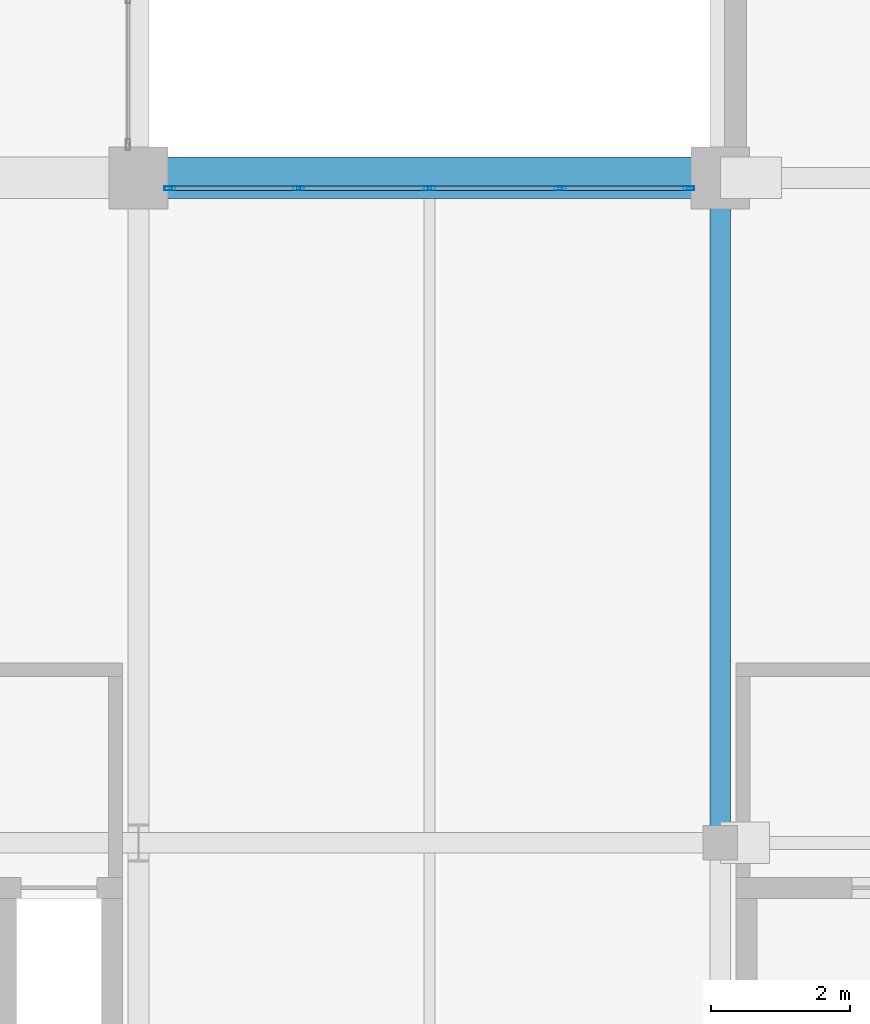
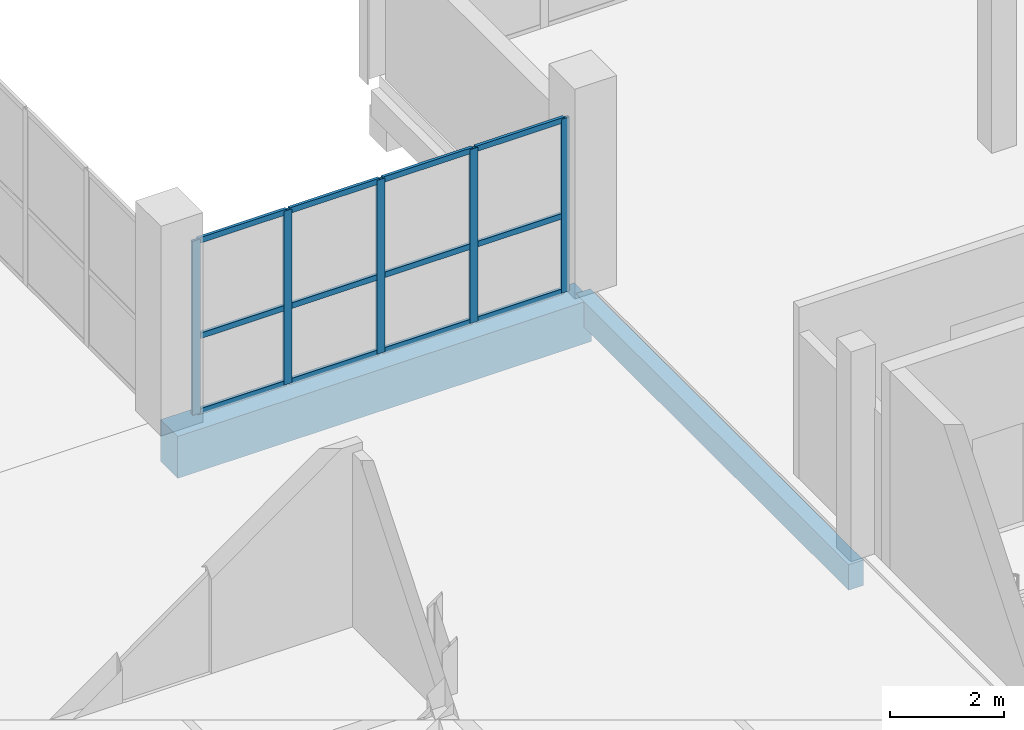
# One storey, part 41 of 109: 17 members, 2 beams, 1 element without a shape of its own.
"""IFC4 building model written with IfcOpenShell, lengths in metres."""

from ifc_helpers import new_model, si_unit, direction, frame, origin, origin_2d, place, context, subcontext, project, spatial, rectangle, hollow_rectangle, extrude, material, material_profile, profile_set, type_object, element, aggregate, save


model = new_model("IFC4")

# Units and contexts
model_context = context("Model", 3, precision=1e-05, world=origin(), true_north=direction((0.0, 1.0)))
body_context = subcontext(model_context, "Body", "Model", "MODEL_VIEW")
ifc_project = project(units=[si_unit("LENGTHUNIT", "METRE"), si_unit("AREAUNIT", "SQUARE_METRE"), si_unit("VOLUMEUNIT", "CUBIC_METRE"), si_unit("PLANEANGLEUNIT", "RADIAN"), si_unit("MASSUNIT", "GRAM", prefix="KILO")], contexts=[model_context])

# Site, building, storey
site_placement = place(None, origin())
site = spatial("IfcSite", under=ifc_project, at=site_placement, CompositionType="ELEMENT")
building_placement = place(site_placement, origin())
building = spatial("IfcBuilding", under=site, at=building_placement, Name="Veltarok Museum of Natural Sciences", CompositionType="ELEMENT")
storey_placement = place(building_placement, frame((0.0, 0.0, 17.39990234375)))
storey = spatial("IfcBuildingStorey", under=building, at=storey_placement, Name="L03", CompositionType="ELEMENT", Elevation=17.39990234375)

# Curtain wall, members
ifc_material_1 = material(Name="Low-iron triple insulated glass", Category="glass")
curtain_wall_type = type_object("IfcCurtainWallType", Name="Curtain Wall System CW-V1CN-L03-3-755x373 (CW-V1CN L03 755x373cm)", PredefinedType="NOTDEFINED", material=ifc_material_1)
curtain_wall_placement = place(storey_placement, origin())
curtain_wall = element("IfcCurtainWall", 1, at=curtain_wall_placement, inside=storey, type_object=curtain_wall_type, Name="Curtain Wall CW-V1CN-L03-3-755x373 CW-0159", PredefinedType="NOTDEFINED")
ifc_material_2 = material(Name="Thermally broken anodised aluminium", Category="aluminium")
ifc_material_profile_1 = material_profile(ifc_material_2, hollow_rectangle(XDim=0.06005859375, YDim=0.1201171875, WallThickness=0.0048828125, at=origin_2d()), Name="CW TRANSOM 60x120x5")
ifc_profile_set_1 = profile_set([ifc_material_profile_1], Name="Thermally broken anodised aluminium")
member_type_1 = type_object("IfcMemberType", Name="Curtain Wall Horizontal Transom 60x120x5", PredefinedType="USERDEFINED", material=ifc_profile_set_1)
member_1_placement = place(storey_placement, frame((106.715087890625, 19.050048828125, 0.028076171875), z_axis=(-1.0, 0.0, 0.0), x_axis=(0.0, -1.0, 0.0)))
member_1 = element("IfcMember", 2, at=member_1_placement, type_object=member_type_1, Name="CW-V1CN-L03-3-755x373 transom 1.1", ObjectType="TRANSOM", PredefinedType="USERDEFINED", context=body_context, shape_type="SweptSolid", body=[
    extrude(hollow_rectangle(XDim=0.06005859375, YDim=0.1201171875, WallThickness=0.0048828125, at=origin_2d()), origin(), (0.0, 0.0, 1.0), 1.797607421875),
])
member_2_placement = place(storey_placement, frame((106.715087890625, 19.050048828125, 1.648193359375), z_axis=(-1.0, 0.0, 0.0), x_axis=(0.0, -1.0, 0.0)))
member_2 = element("IfcMember", 3, at=member_2_placement, type_object=member_type_1, Name="CW-V1CN-L03-3-755x373 transom 1.2", ObjectType="TRANSOM", PredefinedType="USERDEFINED", context=body_context, shape_type="SweptSolid", body=[
    extrude(hollow_rectangle(XDim=0.06005859375, YDim=0.1201171875, WallThickness=0.0048828125, at=origin_2d()), origin(), (0.0, 0.0, 1.0), 1.797607421875),
])
member_3_placement = place(storey_placement, frame((106.715087890625, 19.050048828125, 3.7001953125), z_axis=(-1.0, 0.0, 0.0), x_axis=(0.0, -1.0, 0.0)))
member_3 = element("IfcMember", 4, at=member_3_placement, type_object=member_type_1, Name="CW-V1CN-L03-3-755x373 transom 1.3", ObjectType="TRANSOM", PredefinedType="USERDEFINED", context=body_context, shape_type="SweptSolid", body=[
    extrude(hollow_rectangle(XDim=0.06005859375, YDim=0.1201171875, WallThickness=0.0048828125, at=origin_2d()), origin(), (0.0, 0.0, 1.0), 1.797607421875),
])
member_4_placement = place(storey_placement, frame((104.857421875, 19.050048828125, 0.028076171875), z_axis=(-1.0, 0.0, 0.0), x_axis=(0.0, -1.0, 0.0)))
member_4 = element("IfcMember", 5, at=member_4_placement, type_object=member_type_1, Name="CW-V1CN-L03-3-755x373 transom 2.1", ObjectType="TRANSOM", PredefinedType="USERDEFINED", context=body_context, shape_type="SweptSolid", body=[
    extrude(hollow_rectangle(XDim=0.06005859375, YDim=0.1201171875, WallThickness=0.0048828125, at=origin_2d()), origin(), (0.0, 0.0, 1.0), 1.827392578125),
])
member_5_placement = place(storey_placement, frame((104.857421875, 19.050048828125, 1.648193359375), z_axis=(-1.0, 0.0, 0.0), x_axis=(0.0, -1.0, 0.0)))
member_5 = element("IfcMember", 6, at=member_5_placement, type_object=member_type_1, Name="CW-V1CN-L03-3-755x373 transom 2.2", ObjectType="TRANSOM", PredefinedType="USERDEFINED", context=body_context, shape_type="SweptSolid", body=[
    extrude(hollow_rectangle(XDim=0.06005859375, YDim=0.1201171875, WallThickness=0.0048828125, at=origin_2d()), origin(), (0.0, 0.0, 1.0), 1.827392578125),
])
member_6_placement = place(storey_placement, frame((104.857421875, 19.050048828125, 3.7001953125), z_axis=(-1.0, 0.0, 0.0), x_axis=(0.0, -1.0, 0.0)))
member_6 = element("IfcMember", 7, at=member_6_placement, type_object=member_type_1, Name="CW-V1CN-L03-3-755x373 transom 2.3", ObjectType="TRANSOM", PredefinedType="USERDEFINED", context=body_context, shape_type="SweptSolid", body=[
    extrude(hollow_rectangle(XDim=0.06005859375, YDim=0.1201171875, WallThickness=0.0048828125, at=origin_2d()), origin(), (0.0, 0.0, 1.0), 1.827392578125),
])
member_7_placement = place(storey_placement, frame((102.969970703125, 19.050048828125, 0.028076171875), z_axis=(-1.0, 0.0, 0.0), x_axis=(0.0, -1.0, 0.0)))
member_7 = element("IfcMember", 8, at=member_7_placement, type_object=member_type_1, Name="CW-V1CN-L03-3-755x373 transom 3.1", ObjectType="TRANSOM", PredefinedType="USERDEFINED", context=body_context, shape_type="SweptSolid", body=[
    extrude(hollow_rectangle(XDim=0.06005859375, YDim=0.1201171875, WallThickness=0.0048828125, at=origin_2d()), origin(), (0.0, 0.0, 1.0), 1.827392578125),
])
member_8_placement = place(storey_placement, frame((102.969970703125, 19.050048828125, 1.648193359375), z_axis=(-1.0, 0.0, 0.0), x_axis=(0.0, -1.0, 0.0)))
member_8 = element("IfcMember", 9, at=member_8_placement, type_object=member_type_1, Name="CW-V1CN-L03-3-755x373 transom 3.2", ObjectType="TRANSOM", PredefinedType="USERDEFINED", context=body_context, shape_type="SweptSolid", body=[
    extrude(hollow_rectangle(XDim=0.06005859375, YDim=0.1201171875, WallThickness=0.0048828125, at=origin_2d()), origin(), (0.0, 0.0, 1.0), 1.827392578125),
])
member_9_placement = place(storey_placement, frame((102.969970703125, 19.050048828125, 3.7001953125), z_axis=(-1.0, 0.0, 0.0), x_axis=(0.0, -1.0, 0.0)))
member_9 = element("IfcMember", 10, at=member_9_placement, type_object=member_type_1, Name="CW-V1CN-L03-3-755x373 transom 3.3", ObjectType="TRANSOM", PredefinedType="USERDEFINED", context=body_context, shape_type="SweptSolid", body=[
    extrude(hollow_rectangle(XDim=0.06005859375, YDim=0.1201171875, WallThickness=0.0048828125, at=origin_2d()), origin(), (0.0, 0.0, 1.0), 1.827392578125),
])
member_10_placement = place(storey_placement, frame((101.08251953125, 19.050048828125, 0.028076171875), z_axis=(-1.0, 0.0, 0.0), x_axis=(0.0, -1.0, 0.0)))
member_10 = element("IfcMember", 11, at=member_10_placement, type_object=member_type_1, Name="CW-V1CN-L03-3-755x373 transom 4.1", ObjectType="TRANSOM", PredefinedType="USERDEFINED", context=body_context, shape_type="SweptSolid", body=[
    extrude(hollow_rectangle(XDim=0.06005859375, YDim=0.1201171875, WallThickness=0.0048828125, at=origin_2d()), origin(), (0.0, 0.0, 1.0), 1.797607421875),
])
member_11_placement = place(storey_placement, frame((101.08251953125, 19.050048828125, 1.648193359375), z_axis=(-1.0, 0.0, 0.0), x_axis=(0.0, -1.0, 0.0)))
member_11 = element("IfcMember", 12, at=member_11_placement, type_object=member_type_1, Name="CW-V1CN-L03-3-755x373 transom 4.2", ObjectType="TRANSOM", PredefinedType="USERDEFINED", context=body_context, shape_type="SweptSolid", body=[
    extrude(hollow_rectangle(XDim=0.06005859375, YDim=0.1201171875, WallThickness=0.0048828125, at=origin_2d()), origin(), (0.0, 0.0, 1.0), 1.797607421875),
])
member_12_placement = place(storey_placement, frame((101.08251953125, 19.050048828125, 3.7001953125), z_axis=(-1.0, 0.0, 0.0), x_axis=(0.0, -1.0, 0.0)))
member_12 = element("IfcMember", 13, at=member_12_placement, type_object=member_type_1, Name="CW-V1CN-L03-3-755x373 transom 4.3", ObjectType="TRANSOM", PredefinedType="USERDEFINED", context=body_context, shape_type="SweptSolid", body=[
    extrude(hollow_rectangle(XDim=0.06005859375, YDim=0.1201171875, WallThickness=0.0048828125, at=origin_2d()), origin(), (0.0, 0.0, 1.0), 1.797607421875),
])
ifc_material_profile_2 = material_profile(ifc_material_2, hollow_rectangle(XDim=0.06005859375, YDim=0.159912109375, WallThickness=0.0048828125, at=origin_2d()), Name="CW MULLION 60x160x5")
ifc_profile_set_2 = profile_set([ifc_material_profile_2], Name="Thermally broken anodised aluminium")
member_type_2 = type_object("IfcMemberType", Name="Curtain Wall Vertical Mullion 60x160x5", PredefinedType="MULLION", material=ifc_profile_set_2)
member_13_placement = place(storey_placement, frame((106.7451171875, 19.050048828125, -0.001953125), z_axis=(0.0, 0.0, 1.0), x_axis=(0.0, -1.0, 0.0)))
member_13 = element("IfcMember", 14, at=member_13_placement, type_object=member_type_2, Name="CW-V1CN-L03-3-755x373 mullion 1", PredefinedType="MULLION", context=body_context, shape_type="SweptSolid", body=[
    extrude(hollow_rectangle(XDim=0.06005859375, YDim=0.159912109375, WallThickness=0.0048828125, at=origin_2d()), origin(), (0.0, 0.0, 1.0), 3.73193359375),
])
member_14_placement = place(storey_placement, frame((104.887451171875, 19.050048828125, -0.001953125), z_axis=(0.0, 0.0, 1.0), x_axis=(0.0, -1.0, 0.0)))
member_14 = element("IfcMember", 15, at=member_14_placement, type_object=member_type_2, Name="CW-V1CN-L03-3-755x373 mullion 2", PredefinedType="MULLION", context=body_context, shape_type="SweptSolid", body=[
    extrude(hollow_rectangle(XDim=0.06005859375, YDim=0.159912109375, WallThickness=0.0048828125, at=origin_2d()), origin(), (0.0, 0.0, 1.0), 3.73193359375),
])
member_15_placement = place(storey_placement, frame((103.0, 19.050048828125, -0.001953125), z_axis=(0.0, 0.0, 1.0), x_axis=(0.0, -1.0, 0.0)))
member_15 = element("IfcMember", 16, at=member_15_placement, type_object=member_type_2, Name="CW-V1CN-L03-3-755x373 mullion 3", PredefinedType="MULLION", context=body_context, shape_type="SweptSolid", body=[
    extrude(hollow_rectangle(XDim=0.06005859375, YDim=0.159912109375, WallThickness=0.0048828125, at=origin_2d()), origin(), (0.0, 0.0, 1.0), 3.73193359375),
])
member_16_placement = place(storey_placement, frame((101.112548828125, 19.050048828125, -0.001953125), z_axis=(0.0, 0.0, 1.0), x_axis=(0.0, -1.0, 0.0)))
member_16 = element("IfcMember", 17, at=member_16_placement, type_object=member_type_2, Name="CW-V1CN-L03-3-755x373 mullion 4", PredefinedType="MULLION", context=body_context, shape_type="SweptSolid", body=[
    extrude(hollow_rectangle(XDim=0.06005859375, YDim=0.159912109375, WallThickness=0.0048828125, at=origin_2d()), origin(), (0.0, 0.0, 1.0), 3.73193359375),
])
member_17_placement = place(storey_placement, frame((99.2548828125, 19.050048828125, -0.001953125), z_axis=(0.0, 0.0, 1.0), x_axis=(0.0, -1.0, 0.0)))
member_17 = element("IfcMember", 18, at=member_17_placement, type_object=member_type_2, Name="CW-V1CN-L03-3-755x373 mullion 5", PredefinedType="MULLION", context=body_context, shape_type="SweptSolid", body=[
    extrude(hollow_rectangle(XDim=0.06005859375, YDim=0.159912109375, WallThickness=0.0048828125, at=origin_2d()), origin(), (0.0, 0.0, 1.0), 3.73193359375),
])
aggregate(curtain_wall, [member_13, member_14, member_15, member_16, member_17, member_1, member_2, member_3, member_4, member_5, member_6, member_7, member_8, member_9, member_10, member_11, member_12])

# Beams
ifc_material_3 = material(Name="Precast concrete C40/50", Category="concrete")
ifc_material_profile_3 = material_profile(ifc_material_3, rectangle(XDim=0.300048828125, YDim=0.550048828125, at=origin_2d()), Name="RC 300x550")
ifc_profile_set_3 = profile_set([ifc_material_profile_3], Name="Precast concrete C40/50")
beam_type_1 = type_object("IfcBeamType", Name="East Wing Precast Spandrel RC 300x550", PredefinedType="SPANDREL", material=ifc_profile_set_3)
beam_1_placement = place(storey_placement, frame((107.199951171875, 9.60009765625, -0.52490234375), z_axis=(0.0, 1.0, 0.0), x_axis=(-1.0, 0.0, 0.0)))
element("IfcBeam", 19, at=beam_1_placement, inside=storey, type_object=beam_type_1, Name="Beam BM-SP02 L03 13/B-C", PredefinedType="SPANDREL", context=body_context, shape_type="SweptSolid", body=[
    extrude(rectangle(XDim=0.300048828125, YDim=0.550048828125, at=origin_2d()), origin(), (0.0, 0.0, 1.0), 9.599853515625),
])
ifc_material_4 = material(Name="Concrete C40/50", Category="concrete")
ifc_material_profile_4 = material_profile(ifc_material_4, rectangle(XDim=0.60009765625, YDim=0.89990234375, at=origin_2d()), Name="RC 600x900")
ifc_profile_set_4 = profile_set([ifc_material_profile_4], Name="Concrete C40/50")
beam_type_2 = type_object("IfcBeamType", Name="Exposed Cabinet Perimeter Spandrel RC 600x900", PredefinedType="SPANDREL", material=ifc_profile_set_4)
beam_2_placement = place(storey_placement, frame((98.800048828125, 19.199951171875, -0.699951171875), z_axis=(1.0, 0.0, 0.0), x_axis=(0.0, 1.0, 0.0)))
element("IfcBeam", 20, at=beam_2_placement, inside=storey, type_object=beam_type_2, Name="Beam BM-SP01 L03 12-13/C", PredefinedType="SPANDREL", context=body_context, shape_type="SweptSolid", body=[
    extrude(rectangle(XDim=0.60009765625, YDim=0.89990234375, at=origin_2d()), origin(), (0.0, 0.0, 1.0), 8.39990234375),
])

save(model, "model.ifc")
